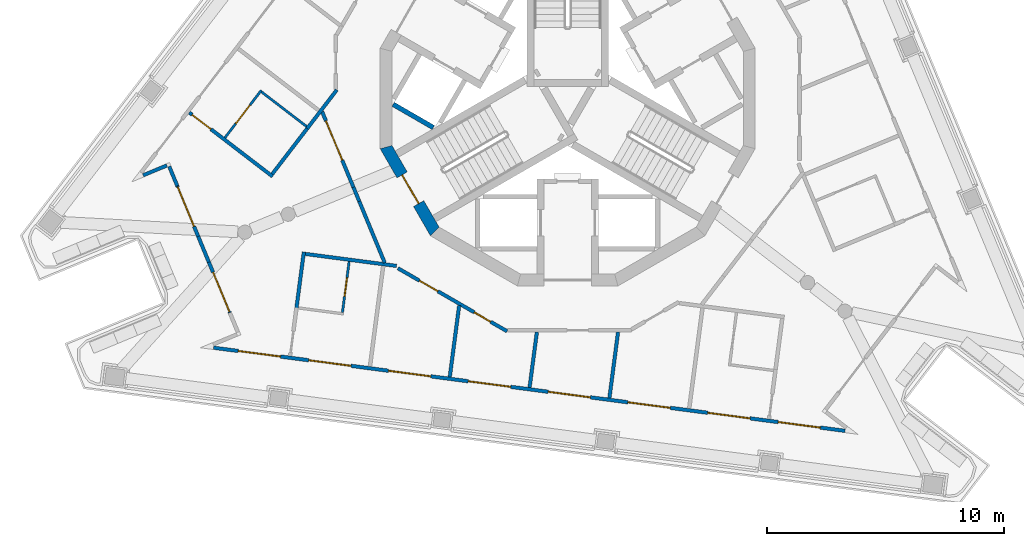
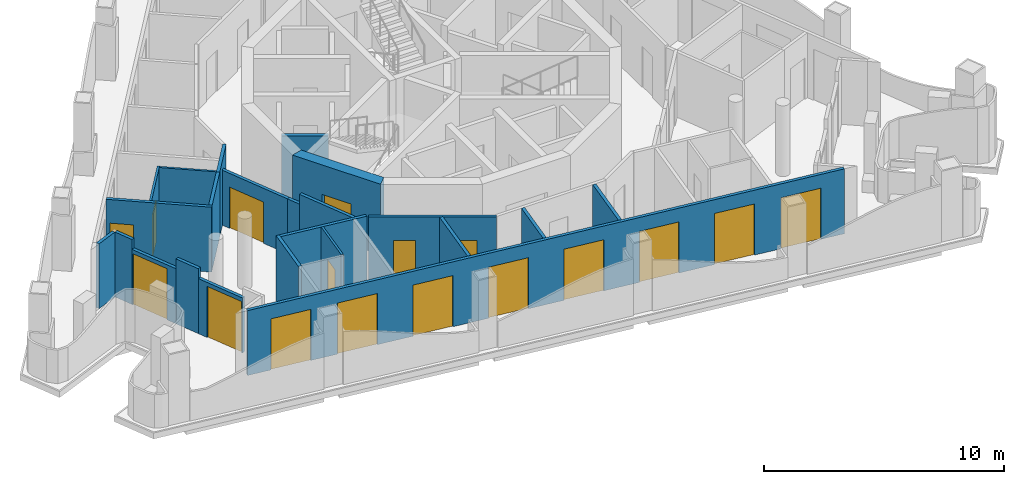
# One storey, part 2 of 12: 23 walls, 17 doors, 17 openings.
"""IFC4 building model written with IfcOpenShell, lengths in metres."""

import ifcopenshell
import ifcopenshell.guid

model = None  # the IFC model being written
_history = None  # IfcOwnerHistory: only IFC2X3 demands one
_inside = {}  # id of a spatial element -> (the spatial element, [elements in it])
_under = {}  # id of a project, library or spatial element -> (it, [spatial elements below it])
_declared = {}  # id of a project -> (the project, [libraries it declares])
_typed = {}  # id of a type object -> (the type object, [elements of that type])
_made_of = {}  # id of a material, layer set ... -> (it, [elements and type objects made of it])


def new_model(schema):
    """Start an empty IFC model of exactly this schema.

    Asked for "IFC4X3", IfcOpenShell would pick the latest addendum, in which some entities
    have other attributes; the version numbers below select the first issue.
    IFC2X3 requires an IfcOwnerHistory on every rooted entity: one is made here for all.
    """
    global model, _history
    if schema == "IFC4X3":
        model = ifcopenshell.file(schema_version=(4, 3, 0, 0))
    else:
        model = ifcopenshell.file(schema=schema)
    _inside.clear()
    _under.clear()
    _declared.clear()
    _typed.clear()
    _made_of.clear()
    _history = None
    if model.schema == "IFC2X3":
        org = make("IfcOrganization", Name="unknown")
        user = make(
            "IfcPersonAndOrganization",
            ThePerson=make("IfcPerson", FamilyName="unknown"),
            TheOrganization=org,
        )
        app = make(
            "IfcApplication",
            ApplicationDeveloper=org,
            Version="unknown",
            ApplicationFullName="unknown",
            ApplicationIdentifier="unknown",
        )
        _history = make(
            "IfcOwnerHistory",
            OwningUser=user,
            OwningApplication=app,
            ChangeAction="ADDED",
            CreationDate=0,
        )
    return model


def make(cls, **values):
    """One entity of the class cls with the attributes given. An attribute that is None is left unset."""
    return model.create_entity(
        cls, **{name: value for name, value in values.items() if value is not None}
    )


def rooted(cls, **values):
    """An entity with a GlobalId (a new one), such as an element, a storey or a relation."""
    return make(cls, GlobalId=ifcopenshell.guid.new(), OwnerHistory=_history, **values)


def si_unit(unit_type, name, prefix=None):
    """IfcSIUnit, for example si_unit("LENGTHUNIT", "METRE", prefix="MILLI")."""
    return make("IfcSIUnit", UnitType=unit_type, Prefix=prefix, Name=name)


def assignment(units):
    """IfcUnitAssignment: the units of a project."""
    return None if units is None else make("IfcUnitAssignment", Units=units)


def point(xyz):
    """IfcCartesianPoint."""
    return None if xyz is None else make("IfcCartesianPoint", Coordinates=xyz)


def direction(xyz):
    """IfcDirection."""
    return None if xyz is None else make("IfcDirection", DirectionRatios=xyz)


def frame(location, z_axis=None, x_axis=None):
    """IfcAxis2Placement3D, a coordinate frame: its origin and axes. An axis left out is left unset."""
    return make(
        "IfcAxis2Placement3D",
        Location=point(location),
        Axis=direction(z_axis),
        RefDirection=direction(x_axis),
    )


def frame_2d(location, x_axis=None):
    """IfcAxis2Placement2D, a coordinate frame in the plane: its origin and x axis."""
    return make(
        "IfcAxis2Placement2D", Location=point(location), RefDirection=direction(x_axis)
    )


def origin():
    """The frame at (0, 0, 0) with its axes left unset."""
    return frame((0.0, 0.0, 0.0))


def place(relative_to, where):
    """IfcLocalPlacement: puts the frame where relative to a parent placement (None: the world)."""
    return make(
        "IfcLocalPlacement", PlacementRelTo=relative_to, RelativePlacement=where
    )


def context(
    kind, dimensions, precision=None, world=None, true_north=None, identifier=None
):
    """IfcGeometricRepresentationContext, for example the 3D "Model" context."""
    return make(
        "IfcGeometricRepresentationContext",
        ContextIdentifier=identifier,
        ContextType=kind,
        CoordinateSpaceDimension=dimensions,
        Precision=precision,
        WorldCoordinateSystem=world,
        TrueNorth=true_north,
    )


def subcontext(parent, identifier, kind, view, scale=None):
    """IfcGeometricRepresentationSubContext, for example "Body" below "Model"."""
    return make(
        "IfcGeometricRepresentationSubContext",
        ContextIdentifier=identifier,
        ContextType=kind,
        ParentContext=parent,
        TargetScale=scale,
        TargetView=view,
    )


def project(units=None, contexts=None):
    """IfcProject with its units and contexts."""
    return rooted(
        "IfcProject",
        Name="project",
        RepresentationContexts=contexts,
        UnitsInContext=assignment(units),
    )


def spatial(cls, under=None, at=None, **own):
    """A site, building, storey or space (cls), placed at a placement, below another one or the project."""
    s = rooted(cls, ObjectPlacement=at, **own)
    if under is not None:
        _under.setdefault(under.id(), (under, []))[1].append(s)
    return s


def polyline(points):
    """IfcPolyline through the points."""
    return make("IfcPolyline", Points=[point(p) for p in points])


def profile(cls, at=None, kind="AREA", **sizes):
    """A parametric profile (cls). Its sizes go by their IFC names, for example OverallWidth=200.0."""
    return make(cls, ProfileType=kind, Position=at, **sizes)


def rectangle(**sizes):
    """IfcRectangleProfileDef."""
    return profile("IfcRectangleProfileDef", **sizes)


def outline(outer, holes=None, kind="AREA"):
    """IfcArbitraryClosedProfileDef: a profile drawn as a closed curve; with holes, ...WithVoids."""
    if holes is None:
        return make("IfcArbitraryClosedProfileDef", ProfileType=kind, OuterCurve=outer)
    return make(
        "IfcArbitraryProfileDefWithVoids",
        ProfileType=kind,
        OuterCurve=outer,
        InnerCurves=holes,
    )


def extrude(swept, where, along, depth):
    """IfcExtrudedAreaSolid: the profile swept, set in the frame where, extruded along a direction by depth."""
    return make(
        "IfcExtrudedAreaSolid",
        SweptArea=swept,
        Position=where,
        ExtrudedDirection=direction(along),
        Depth=depth,
    )


def shape(context_of_items, identifier, shape_type, items):
    """IfcShapeRepresentation: the items that make up one representation, for example the "Body"."""
    return make(
        "IfcShapeRepresentation",
        ContextOfItems=context_of_items,
        RepresentationIdentifier=identifier,
        RepresentationType=shape_type,
        Items=items,
    )


def material(Name=None, Category=None):
    """IfcMaterial."""
    return make("IfcMaterial", Name=Name, Category=Category)


def layer(
    of_material, thickness, ventilated=None, Name=None, Category=None, Priority=None
):
    """IfcMaterialLayer: one layer of a wall or slab, of a material (None: an air gap)."""
    return make(
        "IfcMaterialLayer",
        Material=of_material,
        LayerThickness=thickness,
        IsVentilated=ventilated,
        Name=Name,
        Category=Category,
        Priority=Priority,
    )


def layer_set(layers, Name=None):
    """IfcMaterialLayerSet."""
    return make("IfcMaterialLayerSet", MaterialLayers=layers, LayerSetName=Name)


def made_of(thing, what):
    """Note that an element or type object is made of a material, layer set ...; save() writes the relation."""
    if what is not None:
        _made_of.setdefault(what.id(), (what, []))[1].append(thing)
    return thing


def type_object(cls, material=None, **own):
    """A type object (cls), such as IfcWallType, which elements share."""
    return made_of(rooted(cls, **own), material)


def element(
    cls,
    number,
    at=None,
    inside=None,
    cuts=None,
    type_object=None,
    material=None,
    context=None,
    identifier="Body",
    shape_type=None,
    held_by="IfcProductDefinitionShape",
    body=None,
    shapes=None,
    **own,
):
    """One element of the class cls, such as IfcWall. Its Tag is "e" and its number.

    at: its placement. inside: the storey or other place that contains it. cuts: it is an
    opening in that element (IfcRelVoidsElement). A single representation is given by context,
    identifier, shape_type and body (its items); several are given by shapes. held_by: the class
    of the entity that holds the representations. save() writes the other relations.
    """
    e = rooted(cls, Tag="e%d" % number, ObjectPlacement=at, **own)
    if body is not None:
        shapes = [shape(context, identifier, shape_type, body)]
    if shapes is not None:
        e.Representation = make(held_by, Representations=shapes)
    if inside is not None:
        _inside.setdefault(inside.id(), (inside, []))[1].append(e)
    if cuts is not None:
        rooted(
            "IfcRelVoidsElement", RelatingBuildingElement=cuts, RelatedOpeningElement=e
        )
    if type_object is not None:
        _typed.setdefault(type_object.id(), (type_object, []))[1].append(e)
    return made_of(e, material)


def fill(opening, filler):
    """IfcRelFillsElement: the door or window that sits in an opening."""
    return rooted(
        "IfcRelFillsElement",
        RelatingOpeningElement=opening,
        RelatedBuildingElement=filler,
    )


def aggregate(whole, parts):
    """IfcRelAggregates: a whole, such as a stair, and the parts it consists of."""
    return rooted("IfcRelAggregates", RelatingObject=whole, RelatedObjects=parts)


def save(model, path):
    """Write the relations noted so far, then the file.

    IfcRelAggregates (storeys below a building ...), IfcRelContainedInSpatialStructure (elements
    in a storey), IfcRelDefinesByType, IfcRelAssociatesMaterial and IfcRelDeclares: one each for
    every whole, place, type object, material and project.
    """
    for whole, parts in _under.values():
        aggregate(whole, parts)
    for where, things in _inside.values():
        rooted(
            "IfcRelContainedInSpatialStructure",
            RelatedElements=things,
            RelatingStructure=where,
        )
    for kind, things in _typed.values():
        rooted("IfcRelDefinesByType", RelatedObjects=things, RelatingType=kind)
    for what, things in _made_of.values():
        rooted("IfcRelAssociatesMaterial", RelatedObjects=things, RelatingMaterial=what)
    for by, libraries in _declared.values():
        rooted("IfcRelDeclares", RelatingContext=by, RelatedDefinitions=libraries)
    model.write(path)


model = new_model("IFC4")

# Units and contexts
model_context = context("Model", 3, precision=1e-05, world=origin(), true_north=direction((0.0, 1.0)))
body_context = subcontext(model_context, "Body", "Model", "MODEL_VIEW")
ifc_project = project(units=[si_unit("LENGTHUNIT", "METRE"), si_unit("AREAUNIT", "SQUARE_METRE"), si_unit("VOLUMEUNIT", "CUBIC_METRE"), si_unit("PLANEANGLEUNIT", "RADIAN"), si_unit("MASSUNIT", "GRAM", prefix="KILO")], contexts=[model_context])

# Site, building, storey
site_placement = place(None, origin())
site = spatial("IfcSite", under=ifc_project, at=site_placement, CompositionType="ELEMENT")
building_placement = place(site_placement, origin())
building = spatial("IfcBuilding", under=site, at=building_placement, Name="Trine Commons Tower", CompositionType="ELEMENT")
storey_placement = place(building_placement, frame((0.0, 0.0, 275.39990234375)))
storey = spatial("IfcBuildingStorey", under=building, at=storey_placement, Name="L72", CompositionType="ELEMENT", Elevation=275.39990234375)

# Wall, openings, doors
ifc_material_1 = material(Name="Aluminium-framed insulated wall panel", Category="aluminium")
ifc_layer_1 = layer(ifc_material_1, 0.14990234375)
ifc_layer_set_1 = layer_set([ifc_layer_1], Name="Aluminium-framed insulated wall panel")
wall_type_1 = type_object("IfcWallType", Name="Glazed frame wall 150, EI 60", PredefinedType="SOLIDWALL", material=ifc_layer_set_1)
wall_1_placement = place(storey_placement, frame((91.869140625, 48.4384765625, 0.0), z_axis=(0.0, 0.0, 1.0), x_axis=(-0.991445282789, 0.130522991213, 0.0)))
wall_1 = element("IfcWall", 1, at=wall_1_placement, inside=storey, type_object=wall_type_1, Name="Glazed frame wall F3", PredefinedType="SOLIDWALL", context=body_context, shape_type="SweptSolid", body=[
    extrude(outline(polyline([(0.1494140625, 0.074951171875), (0.1494140625, -0.074951171875), (27.056884765625, -0.074951171875), (27.056884765625, 0.074951171875), (0.1494140625, 0.074951171875)])), origin(), (0.0, 0.0, 1.0), 3.300048828125),
])
opening_1_placement = place(wall_1_placement, frame((1.200439453125, 0.0, 0.0)))
opening_1 = element("IfcOpeningElement", 2, at=opening_1_placement, cuts=wall_1, Name="Opening BD-8F3-01", PredefinedType="OPENING", context=body_context, shape_type="SweptSolid", body=[
    extrude(rectangle(XDim=1.800048828125, YDim=2.60009765625, at=frame_2d((0.89990234375, 1.300048828125))), frame((0.0, 0.0849609375, 0.0), z_axis=(0.0, -1.0, 0.0), x_axis=(1.0, 0.0, 0.0)), (0.0, 0.0, 1.0), 0.169921875),
])
opening_2_placement = place(wall_1_placement, frame((4.201171875, 0.0, 0.0)))
opening_2 = element("IfcOpeningElement", 3, at=opening_2_placement, cuts=wall_1, Name="Opening BD-8F3-02", PredefinedType="OPENING", context=body_context, shape_type="SweptSolid", body=[
    extrude(rectangle(XDim=1.800048828125, YDim=2.60009765625, at=frame_2d((0.89990234375, 1.300048828125))), frame((0.0, 0.0849609375, 0.0), z_axis=(0.0, -1.0, 0.0), x_axis=(1.0, 0.0, 0.0)), (0.0, 0.0, 1.0), 0.169921875),
])
opening_3_placement = place(wall_1_placement, frame((7.60205078125, 0.0, 0.0)))
opening_3 = element("IfcOpeningElement", 4, at=opening_3_placement, cuts=wall_1, Name="Opening BD-8F3-03", PredefinedType="OPENING", context=body_context, shape_type="SweptSolid", body=[
    extrude(rectangle(XDim=1.800048828125, YDim=2.60009765625, at=frame_2d((0.89990234375, 1.300048828125))), frame((0.0, 0.0849609375, 0.0), z_axis=(0.0, -1.0, 0.0), x_axis=(1.0, 0.0, 0.0)), (0.0, 0.0, 1.0), 0.169921875),
])
opening_4_placement = place(wall_1_placement, frame((11.002685546875, 0.0, 0.0)))
opening_4 = element("IfcOpeningElement", 5, at=opening_4_placement, cuts=wall_1, Name="Opening BD-8F3-04", PredefinedType="OPENING", context=body_context, shape_type="SweptSolid", body=[
    extrude(rectangle(XDim=1.800048828125, YDim=2.60009765625, at=frame_2d((0.89990234375, 1.300048828125))), frame((0.0, 0.0849609375, 0.0), z_axis=(0.0, -1.0, 0.0), x_axis=(1.0, 0.0, 0.0)), (0.0, 0.0, 1.0), 0.169921875),
])
opening_5_placement = place(wall_1_placement, frame((14.403564453125, 0.0, 0.0)))
opening_5 = element("IfcOpeningElement", 6, at=opening_5_placement, cuts=wall_1, Name="Opening BD-8F3-05", PredefinedType="OPENING", context=body_context, shape_type="SweptSolid", body=[
    extrude(rectangle(XDim=1.800048828125, YDim=2.60009765625, at=frame_2d((0.89990234375, 1.300048828125))), frame((0.0, 0.0849609375, 0.0), z_axis=(0.0, -1.0, 0.0), x_axis=(1.0, 0.0, 0.0)), (0.0, 0.0, 1.0), 0.169921875),
])
opening_6_placement = place(wall_1_placement, frame((17.804443359375, 0.0, 0.0)))
opening_6 = element("IfcOpeningElement", 7, at=opening_6_placement, cuts=wall_1, Name="Opening BD-8F3-06", PredefinedType="OPENING", context=body_context, shape_type="SweptSolid", body=[
    extrude(rectangle(XDim=1.800048828125, YDim=2.60009765625, at=frame_2d((0.89990234375, 1.300048828125))), frame((0.0, 0.0849609375, 0.0), z_axis=(0.0, -1.0, 0.0), x_axis=(1.0, 0.0, 0.0)), (0.0, 0.0, 1.0), 0.169921875),
])
opening_7_placement = place(wall_1_placement, frame((21.205078125, 0.0, 0.0)))
opening_7 = element("IfcOpeningElement", 8, at=opening_7_placement, cuts=wall_1, Name="Opening BD-8F3-07", PredefinedType="OPENING", context=body_context, shape_type="SweptSolid", body=[
    extrude(rectangle(XDim=1.800048828125, YDim=2.60009765625, at=frame_2d((0.89990234375, 1.300048828125))), frame((0.0, 0.0849609375, 0.0), z_axis=(0.0, -1.0, 0.0), x_axis=(1.0, 0.0, 0.0)), (0.0, 0.0, 1.0), 0.169921875),
])
opening_8_placement = place(wall_1_placement, frame((24.2060546875, 0.0, 0.0)))
opening_8 = element("IfcOpeningElement", 9, at=opening_8_placement, cuts=wall_1, Name="Opening BD-8F3-08", PredefinedType="OPENING", context=body_context, shape_type="SweptSolid", body=[
    extrude(rectangle(XDim=1.800048828125, YDim=2.60009765625, at=frame_2d((0.89990234375, 1.300048828125))), frame((0.0, 0.0849609375, 0.0), z_axis=(0.0, -1.0, 0.0), x_axis=(1.0, 0.0, 0.0)), (0.0, 0.0, 1.0), 0.169921875),
])
ifc_material_2 = material(Name="Anodised aluminium frame with double glazing", Category="aluminium")
door_type_1 = type_object("IfcDoorType", Name="Sliding loggia door 1800x2600", OperationType="SLIDING_TO_LEFT", PredefinedType="DOOR", material=ifc_material_2)
door_1_placement = place(opening_1_placement, origin())
door_1 = element("IfcDoor", 10, at=door_1_placement, inside=storey, type_object=door_type_1, Name="Loggia door F3 1", OperationType="SLIDING_TO_LEFT", OverallHeight=2.60009765625, OverallWidth=1.800048828125, PredefinedType="DOOR", context=body_context, shape_type="SweptSolid", body=[
    extrude(rectangle(XDim=1.800048828125, YDim=2.60009765625, at=frame_2d((0.89990234375, 1.300048828125))), frame((0.0, 0.02490234375, 0.0), z_axis=(0.0, -1.0, 0.0), x_axis=(1.0, 0.0, 0.0)), (0.0, 0.0, 1.0), 0.050048828125),
])
fill(opening_1, door_1)
door_2_placement = place(opening_2_placement, origin())
door_2 = element("IfcDoor", 11, at=door_2_placement, inside=storey, type_object=door_type_1, Name="Loggia door F3 2", OperationType="SLIDING_TO_LEFT", OverallHeight=2.60009765625, OverallWidth=1.800048828125, PredefinedType="DOOR", context=body_context, shape_type="SweptSolid", body=[
    extrude(rectangle(XDim=1.800048828125, YDim=2.60009765625, at=frame_2d((0.89990234375, 1.300048828125))), frame((0.0, 0.02490234375, 0.0), z_axis=(0.0, -1.0, 0.0), x_axis=(1.0, 0.0, 0.0)), (0.0, 0.0, 1.0), 0.050048828125),
])
fill(opening_2, door_2)
door_3_placement = place(opening_3_placement, origin())
door_3 = element("IfcDoor", 12, at=door_3_placement, inside=storey, type_object=door_type_1, Name="Loggia door F3 3", OperationType="SLIDING_TO_LEFT", OverallHeight=2.60009765625, OverallWidth=1.800048828125, PredefinedType="DOOR", context=body_context, shape_type="SweptSolid", body=[
    extrude(rectangle(XDim=1.800048828125, YDim=2.60009765625, at=frame_2d((0.89990234375, 1.300048828125))), frame((0.0, 0.02490234375, 0.0), z_axis=(0.0, -1.0, 0.0), x_axis=(1.0, 0.0, 0.0)), (0.0, 0.0, 1.0), 0.050048828125),
])
fill(opening_3, door_3)
door_4_placement = place(opening_4_placement, origin())
door_4 = element("IfcDoor", 13, at=door_4_placement, inside=storey, type_object=door_type_1, Name="Loggia door F3 4", OperationType="SLIDING_TO_LEFT", OverallHeight=2.60009765625, OverallWidth=1.800048828125, PredefinedType="DOOR", context=body_context, shape_type="SweptSolid", body=[
    extrude(rectangle(XDim=1.800048828125, YDim=2.60009765625, at=frame_2d((0.89990234375, 1.300048828125))), frame((0.0, 0.02490234375, 0.0), z_axis=(0.0, -1.0, 0.0), x_axis=(1.0, 0.0, 0.0)), (0.0, 0.0, 1.0), 0.050048828125),
])
fill(opening_4, door_4)
door_5_placement = place(opening_5_placement, origin())
door_5 = element("IfcDoor", 14, at=door_5_placement, inside=storey, type_object=door_type_1, Name="Loggia door F3 5", OperationType="SLIDING_TO_LEFT", OverallHeight=2.60009765625, OverallWidth=1.800048828125, PredefinedType="DOOR", context=body_context, shape_type="SweptSolid", body=[
    extrude(rectangle(XDim=1.800048828125, YDim=2.60009765625, at=frame_2d((0.89990234375, 1.300048828125))), frame((0.0, 0.02490234375, 0.0), z_axis=(0.0, -1.0, 0.0), x_axis=(1.0, 0.0, 0.0)), (0.0, 0.0, 1.0), 0.050048828125),
])
fill(opening_5, door_5)
door_6_placement = place(opening_6_placement, origin())
door_6 = element("IfcDoor", 15, at=door_6_placement, inside=storey, type_object=door_type_1, Name="Loggia door F3 6", OperationType="SLIDING_TO_LEFT", OverallHeight=2.60009765625, OverallWidth=1.800048828125, PredefinedType="DOOR", context=body_context, shape_type="SweptSolid", body=[
    extrude(rectangle(XDim=1.800048828125, YDim=2.60009765625, at=frame_2d((0.89990234375, 1.300048828125))), frame((0.0, 0.02490234375, 0.0), z_axis=(0.0, -1.0, 0.0), x_axis=(1.0, 0.0, 0.0)), (0.0, 0.0, 1.0), 0.050048828125),
])
fill(opening_6, door_6)
door_7_placement = place(opening_7_placement, origin())
door_7 = element("IfcDoor", 16, at=door_7_placement, inside=storey, type_object=door_type_1, Name="Loggia door F3 7", OperationType="SLIDING_TO_LEFT", OverallHeight=2.60009765625, OverallWidth=1.800048828125, PredefinedType="DOOR", context=body_context, shape_type="SweptSolid", body=[
    extrude(rectangle(XDim=1.800048828125, YDim=2.60009765625, at=frame_2d((0.89990234375, 1.300048828125))), frame((0.0, 0.02490234375, 0.0), z_axis=(0.0, -1.0, 0.0), x_axis=(1.0, 0.0, 0.0)), (0.0, 0.0, 1.0), 0.050048828125),
])
fill(opening_7, door_7)
door_8_placement = place(opening_8_placement, origin())
door_8 = element("IfcDoor", 17, at=door_8_placement, inside=storey, type_object=door_type_1, Name="Loggia door F3 8", OperationType="SLIDING_TO_LEFT", OverallHeight=2.60009765625, OverallWidth=1.800048828125, PredefinedType="DOOR", context=body_context, shape_type="SweptSolid", body=[
    extrude(rectangle(XDim=1.800048828125, YDim=2.60009765625, at=frame_2d((0.89990234375, 1.300048828125))), frame((0.0, 0.02490234375, 0.0), z_axis=(0.0, -1.0, 0.0), x_axis=(1.0, 0.0, 0.0)), (0.0, 0.0, 1.0), 0.050048828125),
])
fill(opening_8, door_8)

# Wall, opening, door
wall_2_placement = place(storey_placement, frame((65.72802734375, 53.449462890625, 0.0), z_axis=(0.0, 0.0, 1.0), x_axis=(-0.382693948857, 0.923875176368, 0.0)))
wall_2 = element("IfcWall", 18, at=wall_2_placement, inside=storey, type_object=wall_type_1, Name="Glazed frame wall P3.2", PredefinedType="SOLIDWALL", context=body_context, shape_type="SweptSolid", body=[
    extrude(outline(polyline([(0.0, -0.074951171875), (2.310791015625, -0.074951171875), (2.310791015625, 0.074951171875), (0.0, 0.074951171875), (0.0, -0.074951171875)])), origin(), (0.0, 0.0, 1.0), 2.800048828125),
])
opening_9_placement = place(wall_2_placement, frame((0.050048828125, 0.0, 0.0)))
opening_9 = element("IfcOpeningElement", 19, at=opening_9_placement, cuts=wall_2, Name="Opening BD-8P3-01", PredefinedType="OPENING", context=body_context, shape_type="SweptSolid", body=[
    extrude(rectangle(XDim=1.800048828125, YDim=2.60009765625, at=frame_2d((0.89990234375, 1.300048828125))), frame((0.0, 0.0849609375, 0.0), z_axis=(0.0, -1.0, 0.0), x_axis=(1.0, 0.0, 0.0)), (0.0, 0.0, 1.0), 0.169921875),
])
door_9_placement = place(opening_9_placement, origin())
door_9 = element("IfcDoor", 20, at=door_9_placement, inside=storey, type_object=door_type_1, Name="Loggia door P3 1", OperationType="SLIDING_TO_LEFT", OverallHeight=2.60009765625, OverallWidth=1.800048828125, PredefinedType="DOOR", context=body_context, shape_type="SweptSolid", body=[
    extrude(rectangle(XDim=1.800048828125, YDim=2.60009765625, at=frame_2d((0.89990234375, 1.300048828125))), frame((0.0, 0.02490234375, 0.0), z_axis=(0.0, -1.0, 0.0), x_axis=(1.0, 0.0, 0.0)), (0.0, 0.0, 1.0), 0.050048828125),
])
fill(opening_9, door_9)

# Wall
wall_3_placement = place(storey_placement, frame((64.84375, 55.584228515625, 0.0), z_axis=(0.0, 0.0, 1.0), x_axis=(-0.382790839847, 0.923835035561, 0.0)))
element("IfcWall", 21, at=wall_3_placement, inside=storey, type_object=wall_type_1, Name="Glazed frame wall P3.3", PredefinedType="SOLIDWALL", context=body_context, shape_type="SweptSolid", body=[
    extrude(outline(polyline([(0.0, -0.074951171875), (1.1787109375, -0.074951171875), (1.1787109375, 0.074951171875), (0.0, 0.074951171875), (0.0, -0.074951171875)])), origin(), (0.0, 0.0, 1.0), 3.300048828125),
])

# Wall, opening, door
wall_4_placement = place(storey_placement, frame((64.392578125, 56.673095703125, 0.0), z_axis=(0.0, 0.0, 1.0), x_axis=(-0.382693948857, 0.923875176368, 0.0)))
wall_4 = element("IfcWall", 22, at=wall_4_placement, inside=storey, type_object=wall_type_1, Name="Glazed frame wall P3.4", PredefinedType="SOLIDWALL", context=body_context, shape_type="SweptSolid", body=[
    extrude(outline(polyline([(0.0, -0.074951171875), (2.310546875, -0.074951171875), (2.310546875, 0.074951171875), (0.0, 0.074951171875), (0.0, -0.074951171875)])), origin(), (0.0, 0.0, 1.0), 2.800048828125),
])
opening_10_placement = place(wall_4_placement, frame((0.460693359375, 0.0, 0.0)))
opening_10 = element("IfcOpeningElement", 23, at=opening_10_placement, cuts=wall_4, Name="Opening BD-8P3-02", PredefinedType="OPENING", context=body_context, shape_type="SweptSolid", body=[
    extrude(rectangle(XDim=1.800048828125, YDim=2.60009765625, at=frame_2d((0.89990234375, 1.300048828125))), frame((0.0, 0.0849609375, 0.0), z_axis=(0.0, -1.0, 0.0), x_axis=(1.0, 0.0, 0.0)), (0.0, 0.0, 1.0), 0.169921875),
])
door_10_placement = place(opening_10_placement, origin())
door_10 = element("IfcDoor", 24, at=door_10_placement, inside=storey, type_object=door_type_1, Name="Loggia door P3 2", OperationType="SLIDING_TO_LEFT", OverallHeight=2.60009765625, OverallWidth=1.800048828125, PredefinedType="DOOR", context=body_context, shape_type="SweptSolid", body=[
    extrude(rectangle(XDim=1.800048828125, YDim=2.60009765625, at=frame_2d((0.89990234375, 1.300048828125))), frame((0.0, 0.02490234375, 0.0), z_axis=(0.0, -1.0, 0.0), x_axis=(1.0, 0.0, 0.0)), (0.0, 0.0, 1.0), 0.050048828125),
])
fill(opening_10, door_10)

# Walls
wall_5_placement = place(storey_placement, frame((63.50830078125, 58.807861328125, 0.0), z_axis=(0.0, 0.0, 1.0), x_axis=(-0.382603377961, 0.923912688068, 0.0)))
element("IfcWall", 25, at=wall_5_placement, inside=storey, type_object=wall_type_1, Name="Glazed frame wall P3.5", PredefinedType="SOLIDWALL", context=body_context, shape_type="SweptSolid", body=[
    extrude(outline(polyline([(0.889892578125, 0.074951171875), (0.0, 0.074951171875), (0.0, -0.074951171875), (0.889892578125, -0.074951171875), (0.889892578125, 0.074951171875)])), origin(), (0.0, 0.0, 1.0), 3.300048828125),
])
wall_6_placement = place(storey_placement, frame((63.17138671875, 59.712890625, 0.0), z_axis=(0.0, 0.0, 1.0), x_axis=(-0.923837625967, -0.382784588048, 0.0)))
element("IfcWall", 26, at=wall_6_placement, inside=storey, type_object=wall_type_1, Name="Glazed frame wall R12", PredefinedType="SOLIDWALL", context=body_context, shape_type="SweptSolid", body=[
    extrude(outline(polyline([(0.110107421875, 0.074951171875), (0.110107421875, -0.074951171875), (1.19580078125, -0.074951171875), (1.19580078125, 0.074951171875), (0.110107421875, 0.074951171875)])), origin(), (0.0, 0.0, 1.0), 3.300048828125),
])

# Wall, opening, door
ifc_material_3 = material(Name="Concrete C50/60", Category="concrete")
ifc_layer_2 = layer(ifc_material_3, 0.5)
ifc_layer_set_2 = layer_set([ifc_layer_2], Name="Concrete C50/60")
wall_type_2 = type_object("IfcWallType", Name="RC shear wall 500 mm, C50/60", PredefinedType="SHEAR", material=ifc_layer_set_2)
wall_7_placement = place(storey_placement, frame((72.2958984375, 60.502685546875, 0.0), z_axis=(0.0, 0.0, 1.0), x_axis=(0.499992968425, -0.866029463428, 0.0)))
wall_7 = element("IfcWall", 27, at=wall_7_placement, inside=storey, type_object=wall_type_2, Name="Core wall CWH-08 L72", PredefinedType="SHEAR", context=body_context, shape_type="SweptSolid", body=[
    extrude(outline(polyline([(0.0, -0.25), (4.24462890625, -0.25), (4.110595703125, 0.25), (0.134033203125, 0.25), (0.0, -0.25)])), origin(), (0.0, 0.0, 1.0), 3.60009765625),
])
opening_11_placement = place(wall_7_placement, frame((1.42236328125, 0.0, 0.0)))
opening_11 = element("IfcOpeningElement", 28, at=opening_11_placement, cuts=wall_7, Name="Opening K18.02", PredefinedType="OPENING", context=body_context, shape_type="SweptSolid", body=[
    extrude(rectangle(XDim=1.39990234375, YDim=2.10009765625, at=frame_2d((0.699951171875, 1.050048828125))), frame((0.0, 0.260009765625, 0.0), z_axis=(0.0, -1.0, 0.0), x_axis=(1.0, 0.0, 0.0)), (0.0, 0.0, 1.0), 0.52001953125),
])
ifc_material_4 = material(Name="Steel door leaves, fire-rated", Category="steel")
door_type_2 = type_object("IfcDoorType", Name="Stair door, double leaf 1400 x 2100, FD90", OperationType="DOUBLE_DOOR_SINGLE_SWING", PredefinedType="DOOR", material=ifc_material_4)
door_11_placement = place(opening_11_placement, origin())
door_11 = element("IfcDoor", 29, at=door_11_placement, inside=storey, type_object=door_type_2, Name="Stair door to Exit stair ST2D L72", OperationType="DOUBLE_DOOR_SINGLE_SWING", OverallHeight=2.10009765625, OverallWidth=1.39990234375, PredefinedType="DOOR", context=body_context, shape_type="SweptSolid", body=[
    extrude(rectangle(XDim=1.39990234375, YDim=2.10009765625, at=frame_2d((0.699951171875, 1.050048828125))), frame((0.0, 0.02490234375, 0.0), z_axis=(0.0, -1.0, 0.0), x_axis=(1.0, 0.0, 0.0)), (0.0, 0.0, 1.0), 0.050048828125),
])
fill(opening_11, door_11)

# Wall
ifc_material_5 = material(Name="Fire-rated gypsum shaft wall system")
ifc_layer_3 = layer(ifc_material_5, 0.199951171875)
ifc_layer_set_3 = layer_set([ifc_layer_3], Name="Fire-rated gypsum shaft wall system")
wall_type_3 = type_object("IfcWallType", Name="Shaft wall 200 mm, EI 120", PredefinedType="PARTITIONING", material=ifc_layer_set_3)
wall_8_placement = place(storey_placement, frame((74.324951171875, 61.27294921875, 0.0), z_axis=(0.0, 0.0, 1.0), x_axis=(-0.86585547495, 0.500294209939, 0.0)))
element("IfcWall", 30, at=wall_8_placement, inside=storey, type_object=wall_type_3, Name="Shaft wall L72", PredefinedType="PARTITIONING", context=body_context, shape_type="SweptSolid", body=[
    extrude(rectangle(XDim=1.958740234375, YDim=0.199951171875, at=frame_2d((0.9794921875, 0.0))), origin(), (0.0, 0.0, 1.0), 3.300048828125),
])

# Wall, opening, door
ifc_material_6 = material(Name="Gypsum plasterboard on steel stud", Category="steel")
ifc_layer_4 = layer(ifc_material_6, 0.14990234375)
ifc_layer_set_4 = layer_set([ifc_layer_4], Name="Gypsum plasterboard on steel stud")
wall_type_4 = type_object("IfcWallType", Name="Unit and corridor wall 150 mm, EI 60", PredefinedType="PARTITIONING", material=ifc_layer_set_4)
wall_9_placement = place(storey_placement, frame((64.017578125, 61.903564453125, 0.0), z_axis=(0.0, 0.0, 1.0), x_axis=(0.793364364442, -0.608747061786, 0.0)))
wall_9 = element("IfcWall", 31, at=wall_9_placement, inside=storey, type_object=wall_type_4, Name="Partition 001", PredefinedType="PARTITIONING", context=body_context, shape_type="SweptSolid", body=[
    extrude(rectangle(XDim=4.43408203125, YDim=0.14990234375, at=frame_2d((2.217041015625, 0.0))), origin(), (0.0, 0.0, 1.0), 3.300048828125),
])
opening_12_placement = place(wall_9_placement, frame((0.14990234375, 0.0, 0.0)))
opening_12 = element("IfcOpeningElement", 32, at=opening_12_placement, cuts=wall_9, Name="Opening D-8A04", PredefinedType="OPENING", context=body_context, shape_type="SweptSolid", body=[
    extrude(rectangle(XDim=1.0, YDim=2.10009765625, at=frame_2d((0.5, 1.050048828125))), frame((0.0, 0.0849609375, 0.0), z_axis=(0.0, -1.0, 0.0), x_axis=(1.0, 0.0, 0.0)), (0.0, 0.0, 1.0), 0.169921875),
])
ifc_material_7 = material(Name="Timber fire door set", Category="wood")
door_type_3 = type_object("IfcDoorType", Name="Bedroom door 1000 x 2100, FD30S", OperationType="NOTDEFINED", PredefinedType="DOOR", material=ifc_material_7)
door_12_placement = place(opening_12_placement, origin())
door_12 = element("IfcDoor", 33, at=door_12_placement, inside=storey, type_object=door_type_3, Name="Door D-8A04", OperationType="SINGLE_SWING_LEFT", OverallHeight=2.10009765625, OverallWidth=1.0, PredefinedType="DOOR", context=body_context, shape_type="SweptSolid", body=[
    extrude(rectangle(XDim=1.0, YDim=2.10009765625, at=frame_2d((0.5, 1.050048828125))), frame((0.0, 0.02490234375, 0.0), z_axis=(0.0, -1.0, 0.0), x_axis=(1.0, 0.0, 0.0)), (0.0, 0.0, 1.0), 0.050048828125),
])
fill(opening_12, door_12)

# Walls
wall_10_placement = place(storey_placement, frame((67.521728515625, 59.3095703125, 0.0), z_axis=(0.0, 0.0, 1.0), x_axis=(0.608882210114, 0.793260647081, 0.0)))
element("IfcWall", 34, at=wall_10_placement, inside=storey, type_object=wall_type_4, Name="Partition 005", PredefinedType="PARTITIONING", context=body_context, shape_type="SweptSolid", body=[
    extrude(rectangle(XDim=2.478759765625, YDim=0.14990234375, at=frame_2d((1.2392578125, 0.0))), origin(), (0.0, 0.0, 1.0), 3.300048828125),
])
wall_11_placement = place(storey_placement, frame((68.53857421875, 53.6083984375, 0.0), z_axis=(0.0, 0.0, 1.0), x_axis=(0.130524691554, 0.991445058939, 0.0)))
element("IfcWall", 35, at=wall_11_placement, inside=storey, type_object=wall_type_4, Name="Partition 008", PredefinedType="PARTITIONING", context=body_context, shape_type="SweptSolid", body=[
    extrude(rectangle(XDim=2.4296875, YDim=0.14990234375, at=frame_2d((1.21484375, 0.0))), origin(), (0.0, 0.0, 1.0), 3.300048828125),
])
wall_12_placement = place(storey_placement, frame((68.92041015625, 55.93310546875, 0.0), z_axis=(0.0, 0.0, 1.0), x_axis=(0.991448734514, -0.130496769429, 0.0)))
element("IfcWall", 36, at=wall_12_placement, inside=storey, type_object=wall_type_4, Name="Partition 010", PredefinedType="PARTITIONING", context=body_context, shape_type="SweptSolid", body=[
    extrude(rectangle(XDim=3.8857421875, YDim=0.14990234375, at=frame_2d((1.94287109375, 0.0))), origin(), (0.0, 0.0, 1.0), 3.300048828125),
])
wall_13_placement = place(storey_placement, frame((68.99658203125, 61.230224609375, 0.0), z_axis=(0.0, 0.0, 1.0), x_axis=(0.60842656581, 0.793610177617, 0.0)))
element("IfcWall", 37, at=wall_13_placement, inside=storey, type_object=wall_type_4, Name="Partition 011", PredefinedType="PARTITIONING", context=body_context, shape_type="SweptSolid", body=[
    extrude(rectangle(XDim=2.059326171875, YDim=0.14990234375, at=frame_2d((1.02978515625, 0.0))), origin(), (0.0, 0.0, 1.0), 3.300048828125),
])

# Wall, opening, door
wall_14_placement = place(storey_placement, frame((69.626708984375, 61.94580078125, 0.0), z_axis=(0.0, 0.0, 1.0), x_axis=(0.382659407135, -0.923889483721, 0.0)))
wall_14 = element("IfcWall", 38, at=wall_14_placement, inside=storey, type_object=wall_type_4, Name="Partition 012", PredefinedType="PARTITIONING", context=body_context, shape_type="SweptSolid", body=[
    extrude(rectangle(XDim=3.4580078125, YDim=0.14990234375, at=frame_2d((1.72900390625, 0.0))), origin(), (0.0, 0.0, 1.0), 2.800048828125),
])
opening_13_placement = place(wall_14_placement, frame((0.421630859375, 0.0, 0.0)))
opening_13 = element("IfcOpeningElement", 39, at=opening_13_placement, cuts=wall_14, Name="Opening D-8A03", PredefinedType="OPENING", context=body_context, shape_type="SweptSolid", body=[
    extrude(rectangle(XDim=1.800048828125, YDim=2.10009765625, at=frame_2d((0.89990234375, 1.050048828125))), frame((0.0, 0.0849609375, 0.0), z_axis=(0.0, -1.0, 0.0), x_axis=(1.0, 0.0, 0.0)), (0.0, 0.0, 1.0), 0.169921875),
])
door_type_4 = type_object("IfcDoorType", Name="Cluster entrance door 1800 x 2100, double leaf, FD30S", OperationType="DOUBLE_DOOR_DOUBLE_SWING", PredefinedType="DOOR", material=ifc_material_7)
door_13_placement = place(opening_13_placement, frame((1.800048828125, 0.0, 0.0), z_axis=(0.0, 0.0, 1.0), x_axis=(-1.0, 0.0, 0.0)))
door_13 = element("IfcDoor", 40, at=door_13_placement, inside=storey, type_object=door_type_4, Name="Door D-8A03", OperationType="DOUBLE_DOOR_DOUBLE_SWING", OverallHeight=2.10009765625, OverallWidth=1.800048828125, PredefinedType="DOOR", context=body_context, shape_type="SweptSolid", body=[
    extrude(rectangle(XDim=1.800048828125, YDim=2.10009765625, at=frame_2d((0.89990234375, 1.050048828125))), frame((0.0, 0.02490234375, 0.0), z_axis=(0.0, -1.0, 0.0), x_axis=(1.0, 0.0, 0.0)), (0.0, 0.0, 1.0), 0.050048828125),
])
fill(opening_13, door_13)

# Walls
wall_15_placement = place(storey_placement, frame((70.949951171875, 58.7509765625, 0.0), z_axis=(0.0, 0.0, 1.0), x_axis=(0.383291989612, -0.923627224967, 0.0)))
element("IfcWall", 41, at=wall_15_placement, inside=storey, type_object=wall_type_4, Name="Partition 018", PredefinedType="PARTITIONING", context=body_context, shape_type="SweptSolid", body=[
    extrude(rectangle(XDim=0.64208984375, YDim=0.14990234375, at=frame_2d((0.321044921875, 0.0))), origin(), (0.0, 0.0, 1.0), 2.800048828125),
])
wall_16_placement = place(storey_placement, frame((71.196044921875, 58.157958984375, 0.0), z_axis=(0.0, 0.0, 1.0), x_axis=(0.382668413767, -0.923885753275, 0.0)))
element("IfcWall", 42, at=wall_16_placement, inside=storey, type_object=wall_type_4, Name="Partition 019", PredefinedType="PARTITIONING", context=body_context, shape_type="SweptSolid", body=[
    extrude(rectangle(XDim=2.81494140625, YDim=0.14990234375, at=frame_2d((1.407470703125, 0.0))), origin(), (0.0, 0.0, 1.0), 3.300048828125),
])

# Wall, openings, doors
wall_17_placement = place(storey_placement, frame((72.8291015625, 55.3291015625, 0.0), z_axis=(0.0, 0.0, 1.0), x_axis=(0.865982457891, -0.500074377092, 0.0)))
wall_17 = element("IfcWall", 43, at=wall_17_placement, inside=storey, type_object=wall_type_4, Name="Partition 023", PredefinedType="PARTITIONING", context=body_context, shape_type="SweptSolid", body=[
    extrude(rectangle(XDim=5.324462890625, YDim=0.14990234375, at=frame_2d((2.662109375, 0.0))), origin(), (0.0, 0.0, 1.0), 3.300048828125),
])
opening_14_placement = place(wall_17_placement, frame((3.72509765625, 0.0, 0.0)))
opening_14 = element("IfcOpeningElement", 44, at=opening_14_placement, cuts=wall_17, Name="Opening D-8A17", PredefinedType="OPENING", context=body_context, shape_type="SweptSolid", body=[
    extrude(rectangle(XDim=0.800048828125, YDim=2.10009765625, at=frame_2d((0.39990234375, 1.050048828125))), frame((0.0, 0.0849609375, 0.0), z_axis=(0.0, -1.0, 0.0), x_axis=(1.0, 0.0, 0.0)), (0.0, 0.0, 1.0), 0.169921875),
])
opening_15_placement = place(wall_17_placement, frame((1.05029296875, 0.0, 0.0)))
opening_15 = element("IfcOpeningElement", 45, at=opening_15_placement, cuts=wall_17, Name="Opening D-8A18", PredefinedType="OPENING", context=body_context, shape_type="SweptSolid", body=[
    extrude(rectangle(XDim=0.89990234375, YDim=2.10009765625, at=frame_2d((0.449951171875, 1.050048828125))), frame((0.0, 0.0849609375, 0.0), z_axis=(0.0, -1.0, 0.0), x_axis=(1.0, 0.0, 0.0)), (0.0, 0.0, 1.0), 0.169921875),
])
door_type_5 = type_object("IfcDoorType", Name="Service door 900 x 2100, FD30S", OperationType="NOTDEFINED", PredefinedType="DOOR", material=ifc_material_7)
door_14_placement = place(opening_15_placement, frame((0.89990234375, 0.0, 0.0), z_axis=(0.0, 0.0, 1.0), x_axis=(-1.0, 0.0, 0.0)))
door_14 = element("IfcDoor", 46, at=door_14_placement, inside=storey, type_object=door_type_5, Name="Door D-8A18", OperationType="SINGLE_SWING_RIGHT", OverallHeight=2.10009765625, OverallWidth=0.89990234375, PredefinedType="DOOR", context=body_context, shape_type="SweptSolid", body=[
    extrude(rectangle(XDim=0.89990234375, YDim=2.10009765625, at=frame_2d((0.449951171875, 1.050048828125))), frame((0.0, 0.02490234375, 0.0), z_axis=(0.0, -1.0, 0.0), x_axis=(1.0, 0.0, 0.0)), (0.0, 0.0, 1.0), 0.050048828125),
])
fill(opening_15, door_14)
ifc_material_8 = material(Name="Painted timber", Category="wood")
door_type_6 = type_object("IfcDoorType", Name="Toilet door 800 x 2100, NOT RATED", OperationType="NOTDEFINED", PredefinedType="DOOR", material=ifc_material_8)
door_15_placement = place(opening_14_placement, frame((0.800048828125, 0.0, 0.0), z_axis=(0.0, 0.0, 1.0), x_axis=(-1.0, 0.0, 0.0)))
door_15 = element("IfcDoor", 47, at=door_15_placement, inside=storey, type_object=door_type_6, Name="Door D-8A17", OperationType="SINGLE_SWING_LEFT", OverallHeight=2.10009765625, OverallWidth=0.800048828125, PredefinedType="DOOR", context=body_context, shape_type="SweptSolid", body=[
    extrude(rectangle(XDim=0.800048828125, YDim=2.10009765625, at=frame_2d((0.39990234375, 1.050048828125))), frame((0.0, 0.02490234375, 0.0), z_axis=(0.0, -1.0, 0.0), x_axis=(1.0, 0.0, 0.0)), (0.0, 0.0, 1.0), 0.050048828125),
])
fill(opening_14, door_15)

# Walls
wall_18_placement = place(storey_placement, frame((75.020263671875, 50.732666015625, 0.0), z_axis=(0.0, 0.0, 1.0), x_axis=(0.130558109067, 0.991440658918, 0.0)))
element("IfcWall", 48, at=wall_18_placement, inside=storey, type_object=wall_type_4, Name="Partition 026", PredefinedType="PARTITIONING", context=body_context, shape_type="SweptSolid", body=[
    extrude(rectangle(XDim=3.048095703125, YDim=0.14990234375, at=frame_2d((1.52392578125, 0.0))), origin(), (0.0, 0.0, 1.0), 3.300048828125),
])
wall_19_placement = place(storey_placement, frame((78.39208984375, 50.288818359375, 0.0), z_axis=(0.0, 0.0, 1.0), x_axis=(0.130497310501, 0.991448663296, 0.0)))
element("IfcWall", 49, at=wall_19_placement, inside=storey, type_object=wall_type_4, Name="Partition 030", PredefinedType="PARTITIONING", context=body_context, shape_type="SweptSolid", body=[
    extrude(rectangle(XDim=2.361083984375, YDim=0.14990234375, at=frame_2d((1.1806640625, 0.0))), origin(), (0.0, 0.0, 1.0), 3.300048828125),
])
wall_20_placement = place(storey_placement, frame((81.76416015625, 49.8447265625, 0.0), z_axis=(0.0, 0.0, 1.0), x_axis=(0.130290377986, 0.991475878377, 0.0)))
element("IfcWall", 50, at=wall_20_placement, inside=storey, type_object=wall_type_4, Name="Partition 031", PredefinedType="PARTITIONING", context=body_context, shape_type="SweptSolid", body=[
    extrude(rectangle(XDim=2.808837890625, YDim=0.14990234375, at=frame_2d((1.404296875, 0.0))), origin(), (0.0, 0.0, 1.0), 3.300048828125),
])

# Wall, opening, door
ifc_layer_5 = layer(ifc_material_6, 0.10009765625)
ifc_layer_set_5 = layer_set([ifc_layer_5], Name="Gypsum plasterboard on steel stud")
wall_type_5 = type_object("IfcWallType", Name="Unit partition 100 mm, no rating", PredefinedType="PARTITIONING", material=ifc_layer_set_5)
wall_21_placement = place(storey_placement, frame((65.522705078125, 60.843505859375, 0.0), z_axis=(0.0, 0.0, 1.0), x_axis=(0.608888117026, 0.793256113083, 0.0)))
wall_21 = element("IfcWall", 51, at=wall_21_placement, inside=storey, type_object=wall_type_5, Name="Partition 002", PredefinedType="PARTITIONING", context=body_context, shape_type="SweptSolid", body=[
    extrude(rectangle(XDim=2.525146484375, YDim=0.10009765625, at=frame_2d((1.2626953125, 0.0))), origin(), (0.0, 0.0, 1.0), 3.300048828125),
])
opening_16_placement = place(wall_21_placement, frame((0.737548828125, 0.0, 0.0)))
opening_16 = element("IfcOpeningElement", 52, at=opening_16_placement, cuts=wall_21, Name="Opening D-8A20", PredefinedType="OPENING", context=body_context, shape_type="SweptSolid", body=[
    extrude(rectangle(XDim=1.0, YDim=2.10009765625, at=frame_2d((0.5, 1.050048828125))), frame((0.0, 0.06005859375, 0.0), z_axis=(0.0, -1.0, 0.0), x_axis=(1.0, 0.0, 0.0)), (0.0, 0.0, 1.0), 0.1201171875),
])
door_type_7 = type_object("IfcDoorType", Name="Internal door 1000 x 2100, NOT RATED", OperationType="NOTDEFINED", PredefinedType="DOOR", material=ifc_material_8)
door_16_placement = place(opening_16_placement, origin())
door_16 = element("IfcDoor", 53, at=door_16_placement, inside=storey, type_object=door_type_7, Name="Door D-8A20", OperationType="SINGLE_SWING_LEFT", OverallHeight=2.10009765625, OverallWidth=1.0, PredefinedType="DOOR", context=body_context, shape_type="SweptSolid", body=[
    extrude(rectangle(XDim=1.0, YDim=2.10009765625, at=frame_2d((0.5, 1.050048828125))), frame((0.0, 0.02490234375, 0.0), z_axis=(0.0, -1.0, 0.0), x_axis=(1.0, 0.0, 0.0)), (0.0, 0.0, 1.0), 0.050048828125),
])
fill(opening_16, door_16)

# Wall
wall_22_placement = place(storey_placement, frame((67.069580078125, 62.776611328125, 0.0), z_axis=(0.0, 0.0, 1.0), x_axis=(0.793320776326, -0.608803864844, 0.0)))
element("IfcWall", 54, at=wall_22_placement, inside=storey, type_object=wall_type_5, Name="Partition 004", PredefinedType="PARTITIONING", context=body_context, shape_type="SweptSolid", body=[
    extrude(rectangle(XDim=2.394775390625, YDim=0.10009765625, at=frame_2d((1.197265625, 0.0))), origin(), (0.0, 0.0, 1.0), 3.300048828125),
])

# Wall, opening, door
wall_23_placement = place(storey_placement, frame((70.485595703125, 53.45751953125, 0.0), z_axis=(0.0, 0.0, 1.0), x_axis=(0.130457416757, 0.991453913409, 0.0)))
wall_23 = element("IfcWall", 55, at=wall_23_placement, inside=storey, type_object=wall_type_5, Name="Partition 017", PredefinedType="PARTITIONING", context=body_context, shape_type="SweptSolid", body=[
    extrude(rectangle(XDim=2.174560546875, YDim=0.10009765625, at=frame_2d((1.08740234375, 0.0))), origin(), (0.0, 0.0, 1.0), 3.300048828125),
])
opening_17_placement = place(wall_23_placement, frame((0.687255859375, 0.0, 0.0)))
opening_17 = element("IfcOpeningElement", 56, at=opening_17_placement, cuts=wall_23, Name="Opening D-8A23", PredefinedType="OPENING", context=body_context, shape_type="SweptSolid", body=[
    extrude(rectangle(XDim=0.800048828125, YDim=2.10009765625, at=frame_2d((0.39990234375, 1.050048828125))), frame((0.0, 0.06005859375, 0.0), z_axis=(0.0, -1.0, 0.0), x_axis=(1.0, 0.0, 0.0)), (0.0, 0.0, 1.0), 0.1201171875),
])
door_type_8 = type_object("IfcDoorType", Name="Internal door 800 x 2100, NOT RATED", OperationType="NOTDEFINED", PredefinedType="DOOR", material=ifc_material_8)
door_17_placement = place(opening_17_placement, frame((0.800048828125, 0.0, 0.0), z_axis=(0.0, 0.0, 1.0), x_axis=(-1.0, 0.0, 0.0)))
door_17 = element("IfcDoor", 57, at=door_17_placement, inside=storey, type_object=door_type_8, Name="Door D-8A23", OperationType="SINGLE_SWING_RIGHT", OverallHeight=2.10009765625, OverallWidth=0.800048828125, PredefinedType="DOOR", context=body_context, shape_type="SweptSolid", body=[
    extrude(rectangle(XDim=0.800048828125, YDim=2.10009765625, at=frame_2d((0.39990234375, 1.050048828125))), frame((0.0, 0.02490234375, 0.0), z_axis=(0.0, -1.0, 0.0), x_axis=(1.0, 0.0, 0.0)), (0.0, 0.0, 1.0), 0.050048828125),
])
fill(opening_17, door_17)

save(model, "model.ifc")
